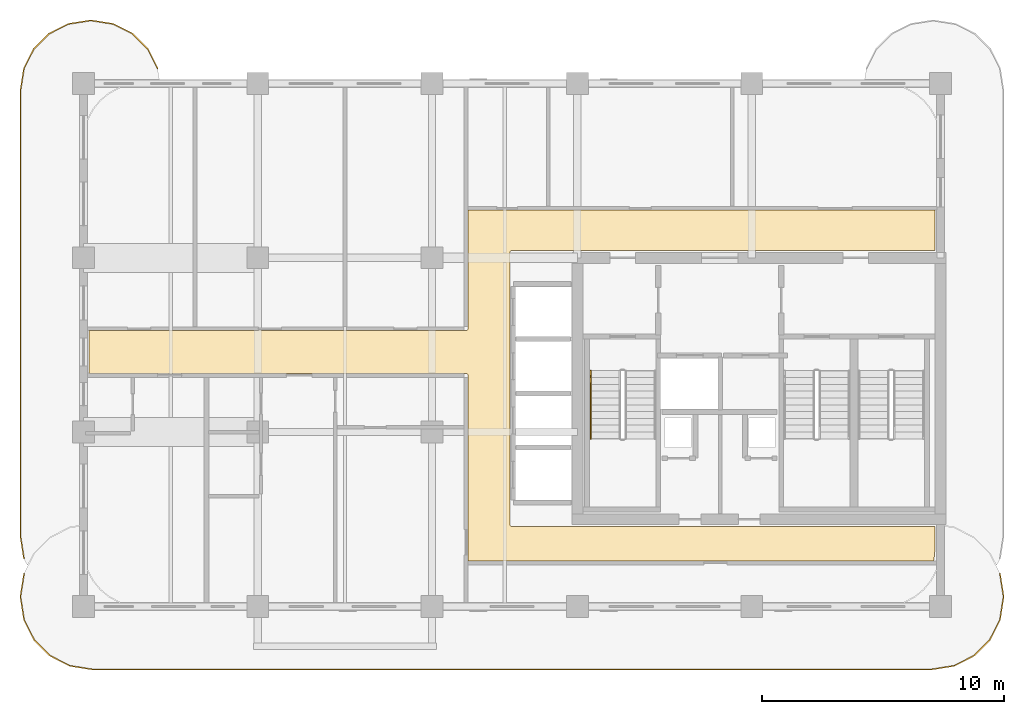
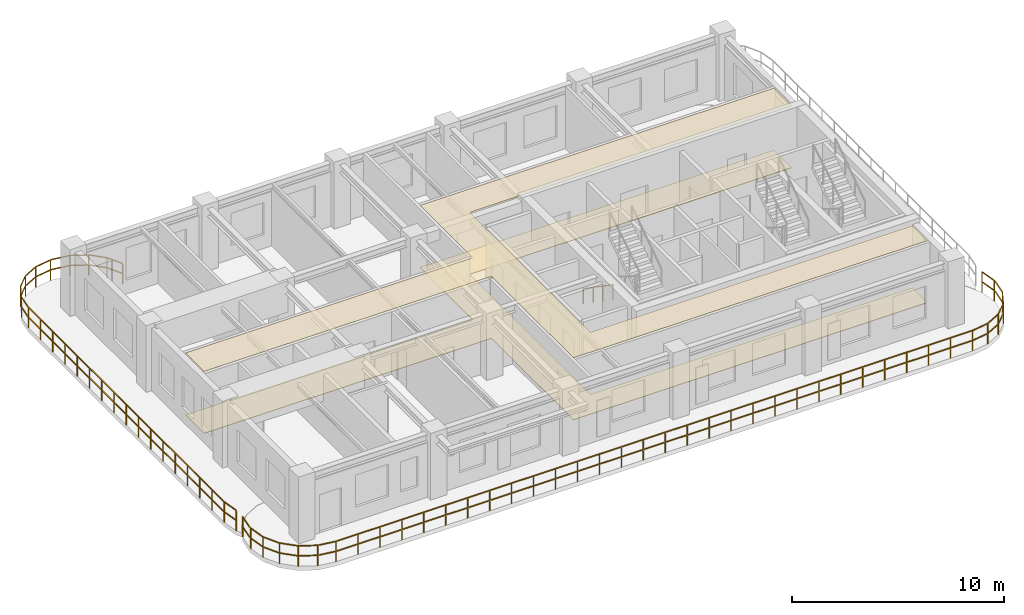
# One storey, part 7 of 8: 3 railings, 2 coverings.
"""IFC4 building model written with IfcOpenShell, lengths in metres."""

from ifc_helpers import new_model, si_unit, derived_unit, direction, frame, origin, origin_2d, place, context, subcontext, project, spatial, polyline, rectangle, outline, extrude, material, layer, layer_set, type_object, element, save


model = new_model("IFC4")

# Units and contexts
model_context = context("Model", 3, precision=1e-05, world=origin(), true_north=direction((0.0, 1.0)))
body_context = subcontext(model_context, "Body", "Model", "MODEL_VIEW")
ifc_project = project(units=[si_unit("LENGTHUNIT", "METRE"), si_unit("AREAUNIT", "SQUARE_METRE"), si_unit("VOLUMEUNIT", "CUBIC_METRE"), si_unit("PLANEANGLEUNIT", "RADIAN"), si_unit("MASSUNIT", "GRAM", prefix="KILO"), si_unit("THERMODYNAMICTEMPERATUREUNIT", "KELVIN"), si_unit("POWERUNIT", "WATT"), derived_unit("THERMALTRANSMITTANCEUNIT", [(si_unit("POWERUNIT", "WATT"), 1), (si_unit("AREAUNIT", "SQUARE_METRE"), -1), (si_unit("THERMODYNAMICTEMPERATUREUNIT", "KELVIN"), -1)])], contexts=[model_context])

# Site, building, storey
site_placement = place(None, origin())
site = spatial("IfcSite", under=ifc_project, at=site_placement, CompositionType="ELEMENT")
building_placement = place(site_placement, origin())
building = spatial("IfcBuilding", under=site, at=building_placement, Name="Zahravan Archway Hotel and Residences", CompositionType="ELEMENT")
storey_placement = place(building_placement, frame((0.0, 0.0, 248.10009765625)))
storey = spatial("IfcBuildingStorey", under=building, at=storey_placement, Name="L62", CompositionType="ELEMENT", Elevation=248.10009765625)

# Coverings
ifc_material_1 = material(Name="Perforated Acoustic Gypsum Ceiling")
ifc_layer_1 = layer(ifc_material_1, 0.02490234375, Name="Perforated Acoustic Gypsum Ceiling")
ifc_layer_set_1 = layer_set([ifc_layer_1], Name="Perforated Acoustic Gypsum Ceiling")
covering_type_1 = type_object("IfcCoveringType", Name="COV-CEIL-ACST", PredefinedType="CEILING", material=ifc_layer_set_1)
covering_1_placement = place(storey_placement, frame((0.0, 0.0, 3.574951171875)))
element("IfcCovering", 1, at=covering_1_placement, inside=storey, type_object=covering_type_1, Name="L62 Acoustic Corridor Ceiling", PredefinedType="CEILING", context=body_context, shape_type="SweptSolid", body=[
    extrude(outline(polyline([(30.215576171875, 11.3916015625), (30.256591796875, 11.413330078125), (30.278564453125, 11.454345703125), (30.280029296875, 16.3701171875), (49.580078125, 16.3701171875), (49.580078125, 14.705078125), (32.10009765625, 14.705078125), (32.0556640625, 14.69140625), (32.026123046875, 14.655517578125), (32.02001953125, 3.375), (32.033447265625, 3.33056640625), (32.0693359375, 3.301025390625), (49.580078125, 3.294921875), (49.580078125, 2.410888671875), (49.537109375, 1.974853515625), (49.50830078125, 1.8798828125), (30.280029296875, 1.8798828125), (30.280029296875, 9.550048828125), (30.2666015625, 9.594482421875), (30.230712890625, 9.623779296875), (14.6201171875, 9.6298828125), (14.6201171875, 11.389892578125), (30.199951171875, 11.389892578125), (30.215576171875, 11.3916015625)])), origin(), (0.0, 0.0, 1.0), 0.02490234375),
])
ifc_material_2 = material(Name="Honed Margalla Limestone & Mortar Bed", Category="masonry")
ifc_layer_2 = layer(ifc_material_2, 0.030029296875, Name="Honed Margalla Limestone & Mortar Bed", Category="masonry")
ifc_layer_set_2 = layer_set([ifc_layer_2], Name="Honed Margalla Limestone & Mortar Bed")
covering_type_2 = type_object("IfcCoveringType", Name="COV-FLR-STONE", PredefinedType="FLOORING", material=ifc_layer_set_2)
covering_2_placement = place(storey_placement, origin())
element("IfcCovering", 2, at=covering_2_placement, inside=storey, type_object=covering_type_2, Name="L62 Circulation Floor Finish", PredefinedType="FLOORING", context=body_context, shape_type="SweptSolid", body=[
    extrude(outline(polyline([(30.215576171875, 11.3916015625), (30.256591796875, 11.413330078125), (30.278564453125, 11.454345703125), (30.280029296875, 16.3701171875), (49.580078125, 16.3701171875), (49.580078125, 14.705078125), (32.10009765625, 14.705078125), (32.0556640625, 14.69140625), (32.026123046875, 14.655517578125), (32.02001953125, 3.375), (32.033447265625, 3.33056640625), (32.0693359375, 3.301025390625), (49.580078125, 3.294921875), (49.580078125, 2.410888671875), (49.537109375, 1.974853515625), (49.50830078125, 1.8798828125), (30.280029296875, 1.8798828125), (30.280029296875, 9.550048828125), (30.2666015625, 9.594482421875), (30.230712890625, 9.623779296875), (14.6201171875, 9.6298828125), (14.6201171875, 11.389892578125), (30.199951171875, 11.389892578125), (30.215576171875, 11.3916015625)])), origin(), (0.0, 0.0, 1.0), 0.02978515625),
])

# Railings
ifc_material_3 = material(Name="Bronze & Laminated Glass Balustrade", Category="glass")
railing_type_1 = type_object("IfcRailingType", Name="RL-BAL-1200", PredefinedType="BALUSTRADE", material=ifc_material_3)
railing_1_placement = place(storey_placement, frame((52.255615234375, 1.361572265625, 0.0)))
element("IfcRailing", 3, at=railing_1_placement, inside=storey, type_object=railing_type_1, Name="L62 Balustrade RL-SLB-BAL-L62-SA-1", PredefinedType="BALUSTRADE", context=body_context, shape_type="SweptSolid", body=[
    extrude(rectangle(XDim=0.048095703125, YDim=0.048095703125, at=origin_2d()), frame((0.0, 0.0, 1.17578125), z_axis=(0.156329311416, -0.987704989555, 0.0), x_axis=(0.987704989555, 0.156329311416, 0.0)), (0.0, 0.0, 1.0), 0.9228515625),
    extrude(rectangle(XDim=0.048095703125, YDim=0.048095703125, at=origin_2d()), frame((0.0, 0.0, 0.60009765625), z_axis=(0.156329311416, -0.987704989555, 0.0), x_axis=(0.987704989555, 0.156329311416, 0.0)), (0.0, 0.0, 1.0), 0.9228515625),
    extrude(rectangle(XDim=0.048095703125, YDim=0.048095703125, at=origin_2d()), frame((0.144287109375, -0.91162109375, 1.17578125), z_axis=(0.0, -1.0, 0.0), x_axis=(1.0, 0.0, 0.0)), (0.0, 0.0, 1.0), 0.099853515625),
    extrude(rectangle(XDim=0.048095703125, YDim=0.048095703125, at=origin_2d()), frame((0.144287109375, -0.91162109375, 0.60009765625), z_axis=(0.0, -1.0, 0.0), x_axis=(1.0, 0.0, 0.0)), (0.0, 0.0, 1.0), 0.099853515625),
    extrude(rectangle(XDim=0.048095703125, YDim=0.048095703125, at=origin_2d()), frame((0.144287109375, -1.011474609375, 1.17578125), z_axis=(-0.156329311416, -0.987704989555, 0.0), x_axis=(0.987704989555, -0.156329311416, 0.0)), (0.0, 0.0, 1.0), 0.9228515625),
    extrude(rectangle(XDim=0.048095703125, YDim=0.048095703125, at=origin_2d()), frame((0.144287109375, -1.011474609375, 0.60009765625), z_axis=(-0.156329311416, -0.987704989555, 0.0), x_axis=(0.987704989555, -0.156329311416, 0.0)), (0.0, 0.0, 1.0), 0.9228515625),
    extrude(rectangle(XDim=0.048095703125, YDim=0.048095703125, at=origin_2d()), frame((0.0, -1.923095703125, 1.17578125), z_axis=(-0.453866348456, -0.891069771532, 0.0), x_axis=(0.891069771532, -0.453866348456, 0.0)), (0.0, 0.0, 1.0), 0.923095703125),
    extrude(rectangle(XDim=0.048095703125, YDim=0.048095703125, at=origin_2d()), frame((0.0, -1.923095703125, 0.60009765625), z_axis=(-0.453866348456, -0.891069771532, 0.0), x_axis=(0.891069771532, -0.453866348456, 0.0)), (0.0, 0.0, 1.0), 0.923095703125),
    extrude(rectangle(XDim=0.048095703125, YDim=0.048095703125, at=origin_2d()), frame((-0.4189453125, -2.74560546875, 1.17578125), z_axis=(-0.707106781187, -0.707106781187, 0.0), x_axis=(0.707106781187, -0.707106781187, 0.0)), (0.0, 0.0, 1.0), 0.9228515625),
    extrude(rectangle(XDim=0.048095703125, YDim=0.048095703125, at=origin_2d()), frame((-0.4189453125, -2.74560546875, 0.60009765625), z_axis=(-0.707106781187, -0.707106781187, 0.0), x_axis=(0.707106781187, -0.707106781187, 0.0)), (0.0, 0.0, 1.0), 0.9228515625),
    extrude(rectangle(XDim=0.048095703125, YDim=0.048095703125, at=origin_2d()), frame((-1.071533203125, -3.398193359375, 1.17578125), z_axis=(-0.891069771532, -0.453866348456, 0.0), x_axis=(0.453866348456, -0.891069771532, 0.0)), (0.0, 0.0, 1.0), 0.923095703125),
    extrude(rectangle(XDim=0.048095703125, YDim=0.048095703125, at=origin_2d()), frame((-1.071533203125, -3.398193359375, 0.60009765625), z_axis=(-0.891069771532, -0.453866348456, 0.0), x_axis=(0.453866348456, -0.891069771532, 0.0)), (0.0, 0.0, 1.0), 0.923095703125),
    extrude(rectangle(XDim=0.048095703125, YDim=0.048095703125, at=origin_2d()), frame((-1.89404296875, -3.817138671875, 1.17578125), z_axis=(-0.98766411426, -0.156587347521, 0.0), x_axis=(0.156587347521, -0.98766411426, 0.0)), (0.0, 0.0, 1.0), 0.923095703125),
    extrude(rectangle(XDim=0.048095703125, YDim=0.048095703125, at=origin_2d()), frame((-1.89404296875, -3.817138671875, 0.60009765625), z_axis=(-0.98766411426, -0.156587347521, 0.0), x_axis=(0.156587347521, -0.98766411426, 0.0)), (0.0, 0.0, 1.0), 0.923095703125),
    extrude(rectangle(XDim=0.048095703125, YDim=0.048095703125, at=origin_2d()), frame((-2.8056640625, -3.961669921875, 1.17578125), z_axis=(-1.0, 0.0, 0.0), x_axis=(0.0, -1.0, 0.0)), (0.0, 0.0, 1.0), 34.699951171875),
    extrude(rectangle(XDim=0.048095703125, YDim=0.048095703125, at=origin_2d()), frame((-2.8056640625, -3.961669921875, 0.60009765625), z_axis=(-1.0, 0.0, 0.0), x_axis=(0.0, -1.0, 0.0)), (0.0, 0.0, 1.0), 34.699951171875),
    extrude(rectangle(XDim=0.048095703125, YDim=0.048095703125, at=origin_2d()), frame((-37.505615234375, -3.961669921875, 1.17578125), z_axis=(-0.98766411426, 0.156587347521, 0.0), x_axis=(-0.156587347521, -0.98766411426, 0.0)), (0.0, 0.0, 1.0), 0.923095703125),
    extrude(rectangle(XDim=0.048095703125, YDim=0.048095703125, at=origin_2d()), frame((-37.505615234375, -3.961669921875, 0.60009765625), z_axis=(-0.98766411426, 0.156587347521, 0.0), x_axis=(-0.156587347521, -0.98766411426, 0.0)), (0.0, 0.0, 1.0), 0.923095703125),
    extrude(rectangle(XDim=0.048095703125, YDim=0.048095703125, at=origin_2d()), frame((-38.417236328125, -3.817138671875, 1.17578125), z_axis=(-0.891015268556, 0.453973337542, 0.0), x_axis=(-0.453973337542, -0.891015268556, 0.0)), (0.0, 0.0, 1.0), 0.9228515625),
    extrude(rectangle(XDim=0.048095703125, YDim=0.048095703125, at=origin_2d()), frame((-38.417236328125, -3.817138671875, 0.60009765625), z_axis=(-0.891015268556, 0.453973337542, 0.0), x_axis=(-0.453973337542, -0.891015268556, 0.0)), (0.0, 0.0, 1.0), 0.9228515625),
    extrude(rectangle(XDim=0.048095703125, YDim=0.048095703125, at=origin_2d()), frame((-39.239501953125, -3.398193359375, 1.17578125), z_axis=(-0.707239012465, 0.706974525176, 0.0), x_axis=(-0.706974525176, -0.707239012465, 0.0)), (0.0, 0.0, 1.0), 0.923095703125),
    extrude(rectangle(XDim=0.048095703125, YDim=0.048095703125, at=origin_2d()), frame((-39.239501953125, -3.398193359375, 0.60009765625), z_axis=(-0.707239012465, 0.706974525176, 0.0), x_axis=(-0.706974525176, -0.707239012465, 0.0)), (0.0, 0.0, 1.0), 0.923095703125),
    extrude(rectangle(XDim=0.048095703125, YDim=0.048095703125, at=origin_2d()), frame((-39.892333984375, -2.74560546875, 1.17578125), z_axis=(-0.453866348456, 0.891069771532, 0.0), x_axis=(-0.891069771532, -0.453866348456, 0.0)), (0.0, 0.0, 1.0), 0.923095703125),
    extrude(rectangle(XDim=0.048095703125, YDim=0.048095703125, at=origin_2d()), frame((-39.892333984375, -2.74560546875, 0.60009765625), z_axis=(-0.453866348456, 0.891069771532, 0.0), x_axis=(-0.891069771532, -0.453866348456, 0.0)), (0.0, 0.0, 1.0), 0.923095703125),
    extrude(rectangle(XDim=0.048095703125, YDim=0.048095703125, at=origin_2d()), frame((-40.311279296875, -1.923095703125, 1.17578125), z_axis=(-0.156329311416, 0.987704989555, 0.0), x_axis=(-0.987704989555, -0.156329311416, 0.0)), (0.0, 0.0, 1.0), 0.9228515625),
    extrude(rectangle(XDim=0.048095703125, YDim=0.048095703125, at=origin_2d()), frame((-40.311279296875, -1.923095703125, 0.60009765625), z_axis=(-0.156329311416, 0.987704989555, 0.0), x_axis=(-0.987704989555, -0.156329311416, 0.0)), (0.0, 0.0, 1.0), 0.9228515625),
    extrude(rectangle(XDim=0.048095703125, YDim=0.048095703125, at=origin_2d()), frame((-40.45556640625, -1.011474609375, 1.17578125), z_axis=(0.0, 1.0, 0.0), x_axis=(-1.0, 0.0, 0.0)), (0.0, 0.0, 1.0), 0.099853515625),
    extrude(rectangle(XDim=0.048095703125, YDim=0.048095703125, at=origin_2d()), frame((-40.45556640625, -1.011474609375, 0.60009765625), z_axis=(0.0, 1.0, 0.0), x_axis=(-1.0, 0.0, 0.0)), (0.0, 0.0, 1.0), 0.099853515625),
    extrude(rectangle(XDim=0.048095703125, YDim=0.048095703125, at=origin_2d()), frame((-40.45556640625, -0.91162109375, 1.17578125), z_axis=(0.156329311416, 0.987704989555, 0.0), x_axis=(-0.987704989555, 0.156329311416, 0.0)), (0.0, 0.0, 1.0), 0.9228515625),
    extrude(rectangle(XDim=0.048095703125, YDim=0.048095703125, at=origin_2d()), frame((-40.45556640625, -0.91162109375, 0.60009765625), z_axis=(0.156329311416, 0.987704989555, 0.0), x_axis=(-0.987704989555, 0.156329311416, 0.0)), (0.0, 0.0, 1.0), 0.9228515625),
    extrude(rectangle(XDim=0.0419921875, YDim=0.0419921875, at=origin_2d()), origin(), (0.0, 0.0, 1.0), 1.15185546875),
    extrude(rectangle(XDim=0.0419921875, YDim=0.0419921875, at=origin_2d()), frame((0.144287109375, -0.91162109375, 0.0)), (0.0, 0.0, 1.0), 1.15185546875),
    extrude(rectangle(XDim=0.0419921875, YDim=0.0419921875, at=origin_2d()), frame((0.0, -1.923095703125, 0.0)), (0.0, 0.0, 1.0), 1.15185546875),
    extrude(rectangle(XDim=0.0419921875, YDim=0.0419921875, at=origin_2d()), frame((-0.4189453125, -2.74560546875, 0.0)), (0.0, 0.0, 1.0), 1.15185546875),
    extrude(rectangle(XDim=0.0419921875, YDim=0.0419921875, at=origin_2d()), frame((-1.071533203125, -3.398193359375, 0.0)), (0.0, 0.0, 1.0), 1.15185546875),
    extrude(rectangle(XDim=0.0419921875, YDim=0.0419921875, at=origin_2d()), frame((-1.89404296875, -3.817138671875, 0.0)), (0.0, 0.0, 1.0), 1.15185546875),
    extrude(rectangle(XDim=0.0419921875, YDim=0.0419921875, at=origin_2d()), frame((-2.8056640625, -3.961669921875, 0.0)), (0.0, 0.0, 1.0), 1.15185546875),
    extrude(rectangle(XDim=0.0419921875, YDim=0.0419921875, at=origin_2d()), frame((-4.002197265625, -3.961669921875, 0.0)), (0.0, 0.0, 1.0), 1.15185546875),
    extrude(rectangle(XDim=0.0419921875, YDim=0.0419921875, at=origin_2d()), frame((-5.19873046875, -3.961669921875, 0.0)), (0.0, 0.0, 1.0), 1.15185546875),
    extrude(rectangle(XDim=0.0419921875, YDim=0.0419921875, at=origin_2d()), frame((-6.395263671875, -3.961669921875, 0.0)), (0.0, 0.0, 1.0), 1.15185546875),
    extrude(rectangle(XDim=0.0419921875, YDim=0.0419921875, at=origin_2d()), frame((-7.591796875, -3.961669921875, 0.0)), (0.0, 0.0, 1.0), 1.15185546875),
    extrude(rectangle(XDim=0.0419921875, YDim=0.0419921875, at=origin_2d()), frame((-8.788330078125, -3.961669921875, 0.0)), (0.0, 0.0, 1.0), 1.15185546875),
    extrude(rectangle(XDim=0.0419921875, YDim=0.0419921875, at=origin_2d()), frame((-9.98486328125, -3.961669921875, 0.0)), (0.0, 0.0, 1.0), 1.15185546875),
    extrude(rectangle(XDim=0.0419921875, YDim=0.0419921875, at=origin_2d()), frame((-11.181396484375, -3.961669921875, 0.0)), (0.0, 0.0, 1.0), 1.15185546875),
    extrude(rectangle(XDim=0.0419921875, YDim=0.0419921875, at=origin_2d()), frame((-12.378173828125, -3.961669921875, 0.0)), (0.0, 0.0, 1.0), 1.15185546875),
    extrude(rectangle(XDim=0.0419921875, YDim=0.0419921875, at=origin_2d()), frame((-13.57470703125, -3.961669921875, 0.0)), (0.0, 0.0, 1.0), 1.15185546875),
    extrude(rectangle(XDim=0.0419921875, YDim=0.0419921875, at=origin_2d()), frame((-14.771240234375, -3.961669921875, 0.0)), (0.0, 0.0, 1.0), 1.15185546875),
    extrude(rectangle(XDim=0.0419921875, YDim=0.0419921875, at=origin_2d()), frame((-15.9677734375, -3.961669921875, 0.0)), (0.0, 0.0, 1.0), 1.15185546875),
    extrude(rectangle(XDim=0.0419921875, YDim=0.0419921875, at=origin_2d()), frame((-17.164306640625, -3.961669921875, 0.0)), (0.0, 0.0, 1.0), 1.15185546875),
    extrude(rectangle(XDim=0.0419921875, YDim=0.0419921875, at=origin_2d()), frame((-18.36083984375, -3.961669921875, 0.0)), (0.0, 0.0, 1.0), 1.15185546875),
    extrude(rectangle(XDim=0.0419921875, YDim=0.0419921875, at=origin_2d()), frame((-19.557373046875, -3.961669921875, 0.0)), (0.0, 0.0, 1.0), 1.15185546875),
    extrude(rectangle(XDim=0.0419921875, YDim=0.0419921875, at=origin_2d()), frame((-20.75390625, -3.961669921875, 0.0)), (0.0, 0.0, 1.0), 1.15185546875),
    extrude(rectangle(XDim=0.0419921875, YDim=0.0419921875, at=origin_2d()), frame((-21.950439453125, -3.961669921875, 0.0)), (0.0, 0.0, 1.0), 1.15185546875),
    extrude(rectangle(XDim=0.0419921875, YDim=0.0419921875, at=origin_2d()), frame((-23.14697265625, -3.961669921875, 0.0)), (0.0, 0.0, 1.0), 1.15185546875),
    extrude(rectangle(XDim=0.0419921875, YDim=0.0419921875, at=origin_2d()), frame((-24.343505859375, -3.961669921875, 0.0)), (0.0, 0.0, 1.0), 1.15185546875),
    extrude(rectangle(XDim=0.0419921875, YDim=0.0419921875, at=origin_2d()), frame((-25.5400390625, -3.961669921875, 0.0)), (0.0, 0.0, 1.0), 1.15185546875),
    extrude(rectangle(XDim=0.0419921875, YDim=0.0419921875, at=origin_2d()), frame((-26.736572265625, -3.961669921875, 0.0)), (0.0, 0.0, 1.0), 1.15185546875),
    extrude(rectangle(XDim=0.0419921875, YDim=0.0419921875, at=origin_2d()), frame((-27.93310546875, -3.961669921875, 0.0)), (0.0, 0.0, 1.0), 1.15185546875),
    extrude(rectangle(XDim=0.0419921875, YDim=0.0419921875, at=origin_2d()), frame((-29.1298828125, -3.961669921875, 0.0)), (0.0, 0.0, 1.0), 1.15185546875),
    extrude(rectangle(XDim=0.0419921875, YDim=0.0419921875, at=origin_2d()), frame((-30.326416015625, -3.961669921875, 0.0)), (0.0, 0.0, 1.0), 1.15185546875),
    extrude(rectangle(XDim=0.0419921875, YDim=0.0419921875, at=origin_2d()), frame((-31.52294921875, -3.961669921875, 0.0)), (0.0, 0.0, 1.0), 1.15185546875),
    extrude(rectangle(XDim=0.0419921875, YDim=0.0419921875, at=origin_2d()), frame((-32.719482421875, -3.961669921875, 0.0)), (0.0, 0.0, 1.0), 1.15185546875),
    extrude(rectangle(XDim=0.0419921875, YDim=0.0419921875, at=origin_2d()), frame((-33.916015625, -3.961669921875, 0.0)), (0.0, 0.0, 1.0), 1.15185546875),
    extrude(rectangle(XDim=0.0419921875, YDim=0.0419921875, at=origin_2d()), frame((-35.112548828125, -3.961669921875, 0.0)), (0.0, 0.0, 1.0), 1.15185546875),
    extrude(rectangle(XDim=0.0419921875, YDim=0.0419921875, at=origin_2d()), frame((-36.30908203125, -3.961669921875, 0.0)), (0.0, 0.0, 1.0), 1.15185546875),
    extrude(rectangle(XDim=0.0419921875, YDim=0.0419921875, at=origin_2d()), frame((-37.505615234375, -3.961669921875, 0.0)), (0.0, 0.0, 1.0), 1.15185546875),
    extrude(rectangle(XDim=0.0419921875, YDim=0.0419921875, at=origin_2d()), frame((-38.417236328125, -3.817138671875, 0.0)), (0.0, 0.0, 1.0), 1.15185546875),
    extrude(rectangle(XDim=0.0419921875, YDim=0.0419921875, at=origin_2d()), frame((-39.239501953125, -3.398193359375, 0.0)), (0.0, 0.0, 1.0), 1.15185546875),
    extrude(rectangle(XDim=0.0419921875, YDim=0.0419921875, at=origin_2d()), frame((-39.892333984375, -2.74560546875, 0.0)), (0.0, 0.0, 1.0), 1.15185546875),
    extrude(rectangle(XDim=0.0419921875, YDim=0.0419921875, at=origin_2d()), frame((-40.311279296875, -1.923095703125, 0.0)), (0.0, 0.0, 1.0), 1.15185546875),
    extrude(rectangle(XDim=0.0419921875, YDim=0.0419921875, at=origin_2d()), frame((-40.45556640625, -1.011474609375, 0.0)), (0.0, 0.0, 1.0), 1.15185546875),
    extrude(rectangle(XDim=0.0419921875, YDim=0.0419921875, at=origin_2d()), frame((-40.311279296875, 0.0, 0.0)), (0.0, 0.0, 1.0), 1.15185546875),
])
railing_2_placement = place(storey_placement, frame((11.939453125, 1.96923828125, 0.0)))
element("IfcRailing", 4, at=railing_2_placement, inside=storey, type_object=railing_type_1, Name="L62 Balustrade RL-SLB-BAL-L62-WA-1", PredefinedType="BALUSTRADE", context=body_context, shape_type="SweptSolid", body=[
    extrude(rectangle(XDim=0.048095703125, YDim=0.048095703125, at=origin_2d()), frame((0.0, 0.0, 1.17578125), z_axis=(-0.156314005608, 0.987707411965, 0.0), x_axis=(-0.987707411965, -0.156314005608, 0.0)), (0.0, 0.0, 1.0), 0.891845703125),
    extrude(rectangle(XDim=0.048095703125, YDim=0.048095703125, at=origin_2d()), frame((0.0, 0.0, 0.60009765625), z_axis=(-0.156314005608, 0.987707411965, 0.0), x_axis=(-0.987707411965, -0.156314005608, 0.0)), (0.0, 0.0, 1.0), 0.891845703125),
    extrude(rectangle(XDim=0.048095703125, YDim=0.048095703125, at=origin_2d()), frame((-0.139404296875, 0.880859375, 1.17578125), z_axis=(0.0, 1.0, 0.0), x_axis=(-1.0, 0.0, 0.0)), (0.0, 0.0, 1.0), 18.5),
    extrude(rectangle(XDim=0.048095703125, YDim=0.048095703125, at=origin_2d()), frame((-0.139404296875, 0.880859375, 0.60009765625), z_axis=(0.0, 1.0, 0.0), x_axis=(-1.0, 0.0, 0.0)), (0.0, 0.0, 1.0), 18.5),
    extrude(rectangle(XDim=0.048095703125, YDim=0.048095703125, at=origin_2d()), frame((-0.139404296875, 19.380859375, 1.17578125), z_axis=(0.156356282588, 0.987700720307, 0.0), x_axis=(-0.987700720307, 0.156356282588, 0.0)), (0.0, 0.0, 1.0), 0.8916015625),
    extrude(rectangle(XDim=0.048095703125, YDim=0.048095703125, at=origin_2d()), frame((-0.139404296875, 19.380859375, 0.60009765625), z_axis=(0.156356282588, 0.987700720307, 0.0), x_axis=(-0.987700720307, 0.156356282588, 0.0)), (0.0, 0.0, 1.0), 0.8916015625),
    extrude(rectangle(XDim=0.048095703125, YDim=0.048095703125, at=origin_2d()), frame((0.0, 20.261474609375, 1.17578125), z_axis=(0.453991409995, 0.891006060389, 0.0), x_axis=(-0.891006060389, 0.453991409995, 0.0)), (0.0, 0.0, 1.0), 0.8916015625),
    extrude(rectangle(XDim=0.048095703125, YDim=0.048095703125, at=origin_2d()), frame((0.0, 20.261474609375, 0.60009765625), z_axis=(0.453991409995, 0.891006060389, 0.0), x_axis=(-0.891006060389, 0.453991409995, 0.0)), (0.0, 0.0, 1.0), 0.8916015625),
    extrude(rectangle(XDim=0.048095703125, YDim=0.048095703125, at=origin_2d()), frame((0.40478515625, 21.055908203125, 1.17578125), z_axis=(0.707106781187, 0.707106781187, 0.0), x_axis=(-0.707106781187, 0.707106781187, 0.0)), (0.0, 0.0, 1.0), 0.891845703125),
    extrude(rectangle(XDim=0.048095703125, YDim=0.048095703125, at=origin_2d()), frame((0.40478515625, 21.055908203125, 0.60009765625), z_axis=(0.707106781187, 0.707106781187, 0.0), x_axis=(-0.707106781187, 0.707106781187, 0.0)), (0.0, 0.0, 1.0), 0.891845703125),
    extrude(rectangle(XDim=0.048095703125, YDim=0.048095703125, at=origin_2d()), frame((1.035400390625, 21.6865234375, 1.17578125), z_axis=(0.891006060389, 0.453991409995, 0.0), x_axis=(-0.453991409995, 0.891006060389, 0.0)), (0.0, 0.0, 1.0), 0.8916015625),
    extrude(rectangle(XDim=0.048095703125, YDim=0.048095703125, at=origin_2d()), frame((1.035400390625, 21.6865234375, 0.60009765625), z_axis=(0.891006060389, 0.453991409995, 0.0), x_axis=(-0.453991409995, 0.891006060389, 0.0)), (0.0, 0.0, 1.0), 0.8916015625),
    extrude(rectangle(XDim=0.048095703125, YDim=0.048095703125, at=origin_2d()), frame((1.829833984375, 22.09130859375, 1.17578125), z_axis=(0.987700720307, 0.156356282588, 0.0), x_axis=(-0.156356282588, 0.987700720307, 0.0)), (0.0, 0.0, 1.0), 0.8916015625),
    extrude(rectangle(XDim=0.048095703125, YDim=0.048095703125, at=origin_2d()), frame((1.829833984375, 22.09130859375, 0.60009765625), z_axis=(0.987700720307, 0.156356282588, 0.0), x_axis=(-0.156356282588, 0.987700720307, 0.0)), (0.0, 0.0, 1.0), 0.8916015625),
    extrude(rectangle(XDim=0.048095703125, YDim=0.048095703125, at=origin_2d()), frame((2.71044921875, 22.230712890625, 1.17578125), z_axis=(1.0, 0.0, 0.0), x_axis=(0.0, 1.0, 0.0)), (0.0, 0.0, 1.0), 0.10009765625),
    extrude(rectangle(XDim=0.048095703125, YDim=0.048095703125, at=origin_2d()), frame((2.71044921875, 22.230712890625, 0.60009765625), z_axis=(1.0, 0.0, 0.0), x_axis=(0.0, 1.0, 0.0)), (0.0, 0.0, 1.0), 0.10009765625),
    extrude(rectangle(XDim=0.048095703125, YDim=0.048095703125, at=origin_2d()), frame((2.810546875, 22.230712890625, 1.17578125), z_axis=(0.987700720307, -0.156356282588, 0.0), x_axis=(0.156356282588, 0.987700720307, 0.0)), (0.0, 0.0, 1.0), 0.8916015625),
    extrude(rectangle(XDim=0.048095703125, YDim=0.048095703125, at=origin_2d()), frame((2.810546875, 22.230712890625, 0.60009765625), z_axis=(0.987700720307, -0.156356282588, 0.0), x_axis=(0.156356282588, 0.987700720307, 0.0)), (0.0, 0.0, 1.0), 0.8916015625),
    extrude(rectangle(XDim=0.048095703125, YDim=0.048095703125, at=origin_2d()), frame((3.691162109375, 22.09130859375, 1.17578125), z_axis=(0.891062476022, -0.45388067135, 0.0), x_axis=(0.45388067135, 0.891062476022, 0.0)), (0.0, 0.0, 1.0), 0.891845703125),
    extrude(rectangle(XDim=0.048095703125, YDim=0.048095703125, at=origin_2d()), frame((3.691162109375, 22.09130859375, 0.60009765625), z_axis=(0.891062476022, -0.45388067135, 0.0), x_axis=(0.45388067135, 0.891062476022, 0.0)), (0.0, 0.0, 1.0), 0.891845703125),
    extrude(rectangle(XDim=0.048095703125, YDim=0.048095703125, at=origin_2d()), frame((4.48583984375, 21.6865234375, 1.17578125), z_axis=(0.706969864397, -0.70724367147, 0.0), x_axis=(0.70724367147, 0.706969864397, 0.0)), (0.0, 0.0, 1.0), 0.8916015625),
    extrude(rectangle(XDim=0.048095703125, YDim=0.048095703125, at=origin_2d()), frame((4.48583984375, 21.6865234375, 0.60009765625), z_axis=(0.706969864397, -0.70724367147, 0.0), x_axis=(0.70724367147, 0.706969864397, 0.0)), (0.0, 0.0, 1.0), 0.8916015625),
    extrude(rectangle(XDim=0.048095703125, YDim=0.048095703125, at=origin_2d()), frame((5.1162109375, 21.055908203125, 1.17578125), z_axis=(0.453991409995, -0.891006060389, 0.0), x_axis=(0.891006060389, 0.453991409995, 0.0)), (0.0, 0.0, 1.0), 0.8916015625),
    extrude(rectangle(XDim=0.048095703125, YDim=0.048095703125, at=origin_2d()), frame((5.1162109375, 21.055908203125, 0.60009765625), z_axis=(0.453991409995, -0.891006060389, 0.0), x_axis=(0.891006060389, 0.453991409995, 0.0)), (0.0, 0.0, 1.0), 0.8916015625),
    extrude(rectangle(XDim=0.0419921875, YDim=0.0419921875, at=origin_2d()), origin(), (0.0, 0.0, 1.0), 1.15185546875),
    extrude(rectangle(XDim=0.0419921875, YDim=0.0419921875, at=origin_2d()), frame((-0.139404296875, 0.880859375, 0.0)), (0.0, 0.0, 1.0), 1.15185546875),
    extrude(rectangle(XDim=0.0419921875, YDim=0.0419921875, at=origin_2d()), frame((-0.139404296875, 2.037109375, 0.0)), (0.0, 0.0, 1.0), 1.15185546875),
    extrude(rectangle(XDim=0.0419921875, YDim=0.0419921875, at=origin_2d()), frame((-0.139404296875, 3.193359375, 0.0)), (0.0, 0.0, 1.0), 1.15185546875),
    extrude(rectangle(XDim=0.0419921875, YDim=0.0419921875, at=origin_2d()), frame((-0.139404296875, 4.349609375, 0.0)), (0.0, 0.0, 1.0), 1.15185546875),
    extrude(rectangle(XDim=0.0419921875, YDim=0.0419921875, at=origin_2d()), frame((-0.139404296875, 5.505859375, 0.0)), (0.0, 0.0, 1.0), 1.15185546875),
    extrude(rectangle(XDim=0.0419921875, YDim=0.0419921875, at=origin_2d()), frame((-0.139404296875, 6.662109375, 0.0)), (0.0, 0.0, 1.0), 1.15185546875),
    extrude(rectangle(XDim=0.0419921875, YDim=0.0419921875, at=origin_2d()), frame((-0.139404296875, 7.818359375, 0.0)), (0.0, 0.0, 1.0), 1.15185546875),
    extrude(rectangle(XDim=0.0419921875, YDim=0.0419921875, at=origin_2d()), frame((-0.139404296875, 8.974609375, 0.0)), (0.0, 0.0, 1.0), 1.15185546875),
    extrude(rectangle(XDim=0.0419921875, YDim=0.0419921875, at=origin_2d()), frame((-0.139404296875, 10.130859375, 0.0)), (0.0, 0.0, 1.0), 1.15185546875),
    extrude(rectangle(XDim=0.0419921875, YDim=0.0419921875, at=origin_2d()), frame((-0.139404296875, 11.287109375, 0.0)), (0.0, 0.0, 1.0), 1.15185546875),
    extrude(rectangle(XDim=0.0419921875, YDim=0.0419921875, at=origin_2d()), frame((-0.139404296875, 12.443359375, 0.0)), (0.0, 0.0, 1.0), 1.15185546875),
    extrude(rectangle(XDim=0.0419921875, YDim=0.0419921875, at=origin_2d()), frame((-0.139404296875, 13.599609375, 0.0)), (0.0, 0.0, 1.0), 1.15185546875),
    extrude(rectangle(XDim=0.0419921875, YDim=0.0419921875, at=origin_2d()), frame((-0.139404296875, 14.755859375, 0.0)), (0.0, 0.0, 1.0), 1.15185546875),
    extrude(rectangle(XDim=0.0419921875, YDim=0.0419921875, at=origin_2d()), frame((-0.139404296875, 15.912109375, 0.0)), (0.0, 0.0, 1.0), 1.15185546875),
    extrude(rectangle(XDim=0.0419921875, YDim=0.0419921875, at=origin_2d()), frame((-0.139404296875, 17.068359375, 0.0)), (0.0, 0.0, 1.0), 1.15185546875),
    extrude(rectangle(XDim=0.0419921875, YDim=0.0419921875, at=origin_2d()), frame((-0.139404296875, 18.224609375, 0.0)), (0.0, 0.0, 1.0), 1.15185546875),
    extrude(rectangle(XDim=0.0419921875, YDim=0.0419921875, at=origin_2d()), frame((-0.139404296875, 19.380859375, 0.0)), (0.0, 0.0, 1.0), 1.15185546875),
    extrude(rectangle(XDim=0.0419921875, YDim=0.0419921875, at=origin_2d()), frame((0.0, 20.261474609375, 0.0)), (0.0, 0.0, 1.0), 1.15185546875),
    extrude(rectangle(XDim=0.0419921875, YDim=0.0419921875, at=origin_2d()), frame((0.40478515625, 21.055908203125, 0.0)), (0.0, 0.0, 1.0), 1.15185546875),
    extrude(rectangle(XDim=0.0419921875, YDim=0.0419921875, at=origin_2d()), frame((1.035400390625, 21.6865234375, 0.0)), (0.0, 0.0, 1.0), 1.15185546875),
    extrude(rectangle(XDim=0.0419921875, YDim=0.0419921875, at=origin_2d()), frame((1.829833984375, 22.09130859375, 0.0)), (0.0, 0.0, 1.0), 1.15185546875),
    extrude(rectangle(XDim=0.0419921875, YDim=0.0419921875, at=origin_2d()), frame((2.71044921875, 22.230712890625, 0.0)), (0.0, 0.0, 1.0), 1.15185546875),
    extrude(rectangle(XDim=0.0419921875, YDim=0.0419921875, at=origin_2d()), frame((3.691162109375, 22.09130859375, 0.0)), (0.0, 0.0, 1.0), 1.15185546875),
    extrude(rectangle(XDim=0.0419921875, YDim=0.0419921875, at=origin_2d()), frame((4.48583984375, 21.6865234375, 0.0)), (0.0, 0.0, 1.0), 1.15185546875),
    extrude(rectangle(XDim=0.0419921875, YDim=0.0419921875, at=origin_2d()), frame((5.1162109375, 21.055908203125, 0.0)), (0.0, 0.0, 1.0), 1.15185546875),
    extrude(rectangle(XDim=0.0419921875, YDim=0.0419921875, at=origin_2d()), frame((5.52099609375, 20.261474609375, 0.0)), (0.0, 0.0, 1.0), 1.15185546875),
])
ifc_material_4 = material(Name="Brushed Stainless Steel", Category="steel")
railing_type_2 = type_object("IfcRailingType", Name="RL-STH-900", PredefinedType="HANDRAIL", material=ifc_material_4)
railing_3_placement = place(storey_placement, frame((35.35009765625, 9.72998046875, 0.1748046875)))
element("IfcRailing", 5, at=railing_3_placement, inside=storey, type_object=railing_type_2, Name="L62 ST-A1 stair handrail 1", PredefinedType="HANDRAIL", context=body_context, shape_type="SweptSolid", body=[
    extrude(rectangle(XDim=0.048095703125, YDim=0.048095703125, at=origin_2d()), frame((0.0, 0.0, 0.8759765625), z_axis=(0.0, -0.824039827795, 0.566531872191), x_axis=(1.0, 0.0, 0.0)), (0.0, 0.0, 1.0), 3.39794921875),
    extrude(rectangle(XDim=0.0419921875, YDim=0.0419921875, at=origin_2d()), origin(), (0.0, 0.0, 1.0), 0.851806640625),
    extrude(rectangle(XDim=0.0419921875, YDim=0.0419921875, at=origin_2d()), frame((0.0, -0.933349609375, 0.6416015625)), (0.0, 0.0, 1.0), 0.851806640625),
    extrude(rectangle(XDim=0.0419921875, YDim=0.0419921875, at=origin_2d()), frame((0.0, -1.86669921875, 1.283447265625)), (0.0, 0.0, 1.0), 0.851806640625),
    extrude(rectangle(XDim=0.0419921875, YDim=0.0419921875, at=origin_2d()), frame((0.0, -2.800048828125, 1.925048828125)), (0.0, 0.0, 1.0), 0.851806640625),
])

save(model, "model.ifc")
